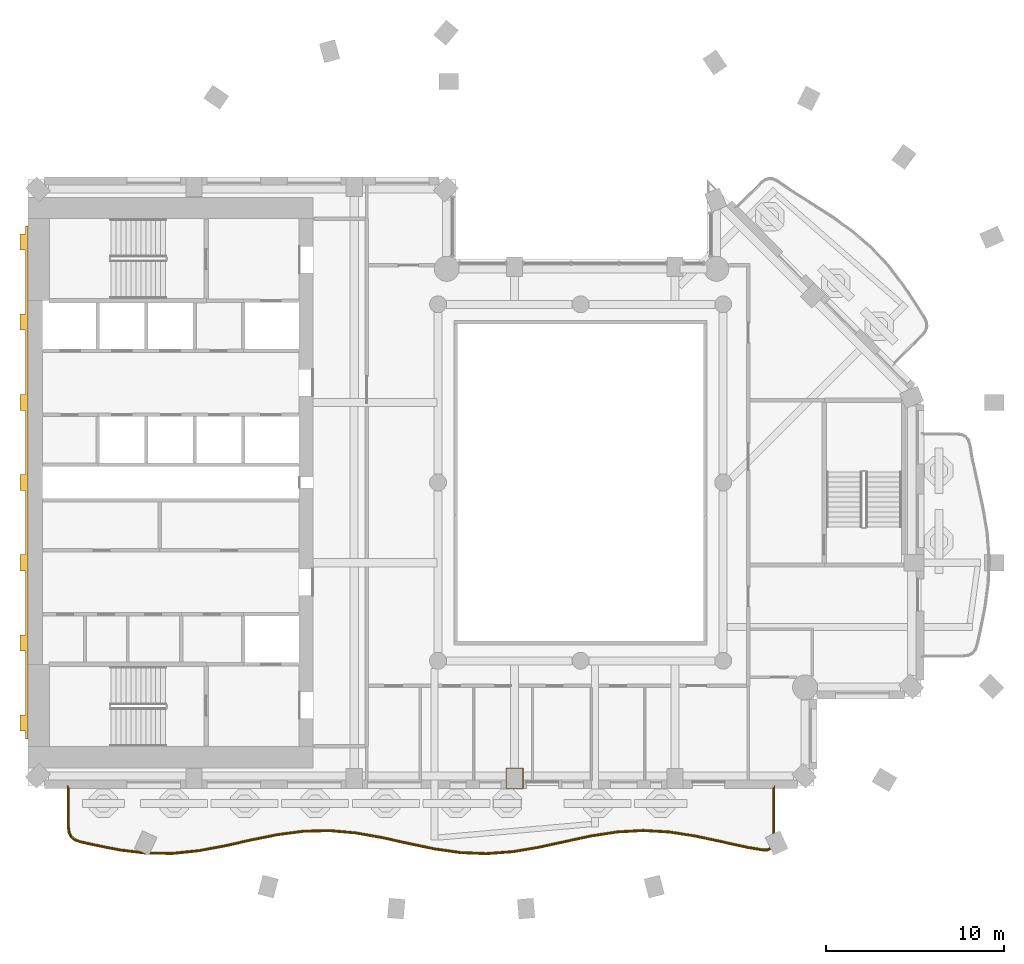
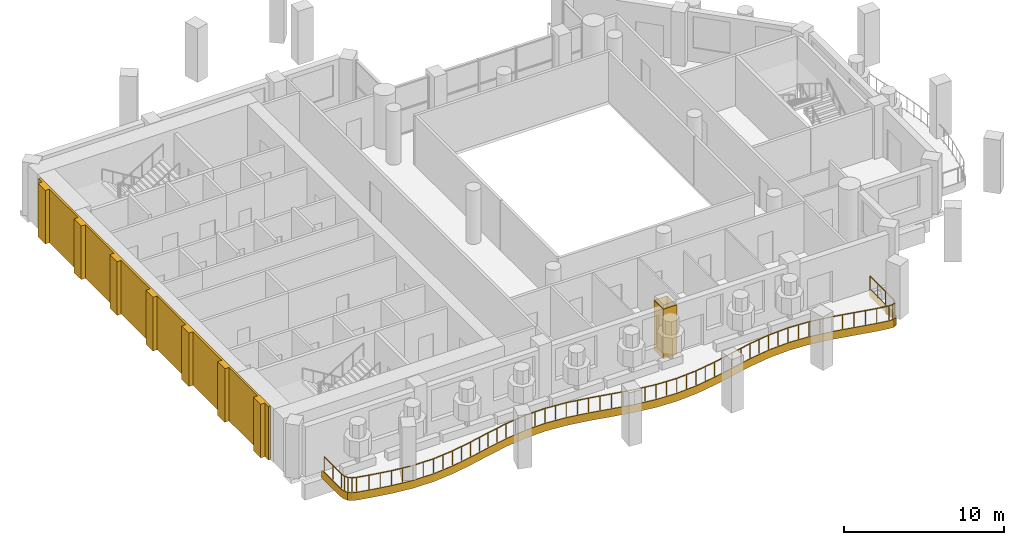
# One storey, part 11 of 15: 3 coverings, 1 railing.
"""IFC4 building model written with IfcOpenShell, lengths in metres."""

from ifc_helpers import new_model, si_unit, direction, frame, origin, origin_2d, place, context, subcontext, project, spatial, polyline, rectangle, outline, extrude, material, layer, layer_set, type_object, element, save


model = new_model("IFC4")

# Units and contexts
model_context = context("Model", 3, precision=1e-05, world=origin(), true_north=direction((0.0, 1.0)))
body_context = subcontext(model_context, "Body", "Model", "MODEL_VIEW")
ifc_project = project(units=[si_unit("LENGTHUNIT", "METRE"), si_unit("AREAUNIT", "SQUARE_METRE"), si_unit("VOLUMEUNIT", "CUBIC_METRE"), si_unit("PLANEANGLEUNIT", "RADIAN"), si_unit("MASSUNIT", "GRAM", prefix="KILO")], contexts=[model_context])

# Site, building, storey
site_placement = place(None, origin())
site = spatial("IfcSite", under=ifc_project, at=site_placement, CompositionType="ELEMENT")
building_placement = place(site_placement, origin())
building = spatial("IfcBuilding", under=site, at=building_placement, Name="Cypress Arch Tower", CompositionType="ELEMENT")
storey_placement = place(building_placement, frame((0.0, 0.0, 164.60009765625)))
storey = spatial("IfcBuildingStorey", under=building, at=storey_placement, Name="L35", CompositionType="ELEMENT", Elevation=164.60009765625)

# Covering
ifc_material_1 = material(Name="White powder-coated aluminium fascia", Category="aluminium")
ifc_layer_1 = layer(ifc_material_1, 0.050048828125)
ifc_layer_set_1 = layer_set([ifc_layer_1], Name="Balcony fascia BF50")
covering_type_1 = type_object("IfcCoveringType", Name="Balcony fascia BF50", PredefinedType="CLADDING", material=ifc_layer_set_1)
covering_1_placement = place(storey_placement, frame((0.0, 0.0, -0.60009765625)))
element("IfcCovering", 1, at=covering_1_placement, inside=storey, type_object=covering_type_1, Name="Balcony fascia L35-B01", PredefinedType="CLADDING", context=body_context, shape_type="SweptSolid", body=[
    extrude(outline(polyline([(11.89990234375, -20.064697265625), (11.856689453125, -20.364990234375), (11.71875, -20.5751953125), (11.48876953125, -20.677001953125), (11.185302734375, -20.670654296875), (10.373779296875, -20.535888671875), (8.906005859375, -20.21484375), (7.44091796875, -19.8994140625), (5.97802734375, -19.669921875), (4.5166015625, -19.5849609375), (3.05517578125, -19.666259765625), (1.592529296875, -19.892822265625), (0.127197265625, -20.207275390625), (-1.340576171875, -20.529296875), (-2.810791015625, -20.775634765625), (-4.282470703125, -20.88330078125), (-5.754638671875, -20.823974609375), (-7.225341796875, -20.61328125), (-8.69384765625, -20.3056640625), (-10.159912109375, -19.97998046875), (-11.623291015625, -19.719970703125), (-13.0849609375, -19.591796875), (-14.546142578125, -19.628173828125), (-16.008544921875, -19.8193359375), (-17.472900390625, -20.1171875), (-18.93994140625, -20.445556640625), (-20.409423828125, -20.719970703125), (-21.881103515625, -20.8701171875), (-23.353271484375, -20.8564453125), (-24.824462890625, -20.68310546875), (-26.293701171875, -20.394775390625), (-27.104248046875, -20.212890625), (-27.404296875, -20.1015625), (-27.624755859375, -19.91650390625), (-27.757080078125, -19.660888671875), (-27.800048828125, -19.34375), (-27.800048828125, -17.0009765625), (-27.75, -17.0009765625), (-27.75, -19.34033203125), (-27.708740234375, -19.6455078125), (-27.5849609375, -19.884765625), (-27.378662109375, -20.057861328125), (-27.090087890625, -20.164794921875), (-26.283447265625, -20.345947265625), (-24.816650390625, -20.6337890625), (-23.35009765625, -20.806640625), (-21.88330078125, -20.820068359375), (-20.416748046875, -20.670654296875), (-18.949951171875, -20.396484375), (-17.4833984375, -20.068359375), (-16.0166015625, -19.77001953125), (-14.550048828125, -19.578125), (-13.083251953125, -19.541748046875), (-11.61669921875, -19.67041015625), (-10.14990234375, -19.930908203125), (-8.683349609375, -20.256591796875), (-7.216552734375, -20.56396484375), (-5.75, -20.774169921875), (-4.283447265625, -20.8330078125), (-2.816650390625, -20.72607421875), (-1.35009765625, -20.47998046875), (0.11669921875, -20.158447265625), (1.583251953125, -19.84375), (3.050048828125, -19.616455078125), (4.5166015625, -19.534912109375), (5.9833984375, -19.6201171875), (7.449951171875, -19.85009765625), (8.916748046875, -20.166015625), (10.38330078125, -20.48681640625), (11.18994140625, -20.62060546875), (11.478759765625, -20.626708984375), (11.68505859375, -20.535400390625), (11.808837890625, -20.346923828125), (11.85009765625, -20.06103515625), (11.85009765625, -17.0009765625), (11.89990234375, -17.0009765625), (11.89990234375, -20.064697265625)])), origin(), (0.0, 0.0, 1.0), 0.60009765625),
])

# Railing
ifc_material_2 = material(Name="Powder-coated steel posts and rods, 100 mm clear between rods", Category="steel")
railing_type = type_object("IfcRailingType", Name="Balcony guard GR1100", PredefinedType="GUARDRAIL", material=ifc_material_2)
railing_placement = place(storey_placement, frame((11.800048828125, -17.14990234375, 0.0)))
element("IfcRailing", 2, at=railing_placement, inside=storey, type_object=railing_type, Name="Balcony guard L35-B01", PredefinedType="GUARDRAIL", context=body_context, shape_type="SweptSolid", body=[
    extrude(rectangle(XDim=0.050048828125, YDim=0.050048828125, at=origin_2d()), frame((0.0, 0.0, 1.0751953125), z_axis=(0.0, -1.0, 0.0), x_axis=(1.0, 0.0, 0.0)), (0.0, 0.0, 1.0), 2.90771484375),
    extrude(rectangle(XDim=0.050048828125, YDim=0.050048828125, at=origin_2d()), frame((0.0, -2.90771484375, 1.0751953125), z_axis=(-0.143416427958, -0.989662431434, 0.0), x_axis=(0.989662431434, -0.143416427958, 0.0)), (0.0, 0.0, 1.0), 0.274169921875),
    extrude(rectangle(XDim=0.050048828125, YDim=0.050048828125, at=origin_2d()), frame((-0.039306640625, -3.178955078125, 1.0751953125), z_axis=(-0.548469236869, -0.836170733887, 0.0), x_axis=(0.836170733887, -0.548469236869, 0.0)), (0.0, 0.0, 1.0), 0.199462890625),
    extrude(rectangle(XDim=0.050048828125, YDim=0.050048828125, at=origin_2d()), frame((-0.148681640625, -3.345703125, 1.0751953125), z_axis=(-0.914465745264, -0.404663317757, 0.0), x_axis=(0.404663317757, -0.914465745264, 0.0)), (0.0, 0.0, 1.0), 0.19970703125),
    extrude(rectangle(XDim=0.050048828125, YDim=0.050048828125, at=origin_2d()), frame((-0.331298828125, -3.426513671875, 1.0751953125), z_axis=(-0.999790333251, 0.020476560699, 0.0), x_axis=(-0.020476560699, -0.999790333251, 0.0)), (0.0, 0.0, 1.0), 0.274169921875),
    extrude(rectangle(XDim=0.050048828125, YDim=0.050048828125, at=origin_2d()), frame((-0.60546875, -3.4208984375, 1.0751953125), z_axis=(-0.986507352218, 0.163716963142, 0.0), x_axis=(-0.163716963142, -0.986507352218, 0.0)), (0.0, 0.0, 1.0), 0.812744140625),
    extrude(rectangle(XDim=0.050048828125, YDim=0.050048828125, at=origin_2d()), frame((-1.4072265625, -3.287841796875, 1.0751953125), z_axis=(-0.976905325358, 0.213672612393, 0.0), x_axis=(-0.213672612393, -0.976905325358, 0.0)), (0.0, 0.0, 1.0), 1.500244140625),
    extrude(rectangle(XDim=0.050048828125, YDim=0.050048828125, at=origin_2d()), frame((-2.872802734375, -2.96728515625, 1.0751953125), z_axis=(-0.9775853849, 0.210539343663, 0.0), x_axis=(-0.210539343663, -0.9775853849, 0.0)), (0.0, 0.0, 1.0), 1.501708984375),
    extrude(rectangle(XDim=0.050048828125, YDim=0.050048828125, at=origin_2d()), frame((-4.3408203125, -2.651123046875, 1.0751953125), z_axis=(-0.987914109621, 0.155002296794, 0.0), x_axis=(-0.155002296794, -0.987914109621, 0.0)), (0.0, 0.0, 1.0), 1.488525390625),
    extrude(rectangle(XDim=0.050048828125, YDim=0.050048828125, at=origin_2d()), frame((-5.811279296875, -2.42041015625, 1.0751953125), z_axis=(-0.998319186613, 0.057955169234, 0.0), x_axis=(-0.057955169234, -0.998319186613, 0.0)), (0.0, 0.0, 1.0), 1.474365234375),
    extrude(rectangle(XDim=0.050048828125, YDim=0.050048828125, at=origin_2d()), frame((-7.283203125, -2.3349609375, 1.0751953125), z_axis=(-0.998460353205, -0.055470019623, 0.0), x_axis=(0.055470019623, -0.998460353205, 0.0)), (0.0, 0.0, 1.0), 1.474365234375),
    extrude(rectangle(XDim=0.050048828125, YDim=0.050048828125, at=origin_2d()), frame((-8.75537109375, -2.416748046875, 1.0751953125), z_axis=(-0.988188900605, -0.153240649704, 0.0), x_axis=(0.153240649704, -0.988188900605, 0.0)), (0.0, 0.0, 1.0), 1.488037109375),
    extrude(rectangle(XDim=0.050048828125, YDim=0.050048828125, at=origin_2d()), frame((-10.225830078125, -2.644775390625, 1.0751953125), z_axis=(-0.977759567551, -0.209728939498, 0.0), x_axis=(0.209728939498, -0.977759567551, 0.0)), (0.0, 0.0, 1.0), 1.501708984375),
    extrude(rectangle(XDim=0.050048828125, YDim=0.050048828125, at=origin_2d()), frame((-11.694091796875, -2.959716796875, 1.0751953125), z_axis=(-0.976795853967, -0.214172499804, 0.0), x_axis=(0.214172499804, -0.976795853967, 0.0)), (0.0, 0.0, 1.0), 1.500244140625),
    extrude(rectangle(XDim=0.050048828125, YDim=0.050048828125, at=origin_2d()), frame((-13.159423828125, -3.281005859375, 1.0751953125), z_axis=(-0.986233366326, -0.165359448308, 0.0), x_axis=(0.165359448308, -0.986233366326, 0.0)), (0.0, 0.0, 1.0), 1.48388671875),
    extrude(rectangle(XDim=0.050048828125, YDim=0.050048828125, at=origin_2d()), frame((-14.622802734375, -3.5263671875, 1.0751953125), z_axis=(-0.997345836099, -0.072809911523, 0.0), x_axis=(0.072809911523, -0.997345836099, 0.0)), (0.0, 0.0, 1.0), 1.46533203125),
    extrude(rectangle(XDim=0.050048828125, YDim=0.050048828125, at=origin_2d()), frame((-16.084228515625, -3.633056640625, 1.0751953125), z_axis=(-0.999190255458, 0.040234728749, 0.0), x_axis=(-0.040234728749, -0.999190255458, 0.0)), (0.0, 0.0, 1.0), 1.46240234375),
    extrude(rectangle(XDim=0.050048828125, YDim=0.050048828125, at=origin_2d()), frame((-17.54541015625, -3.57421875, 1.0751953125), z_axis=(-0.989899863503, 0.14176833298, 0.0), x_axis=(-0.14176833298, -0.989899863503, 0.0)), (0.0, 0.0, 1.0), 1.4775390625),
    extrude(rectangle(XDim=0.050048828125, YDim=0.050048828125, at=origin_2d()), frame((-19.008056640625, -3.36474609375, 1.0751953125), z_axis=(-0.978751812618, 0.205048504743, 0.0), x_axis=(-0.205048504743, -0.978751812618, 0.0)), (0.0, 0.0, 1.0), 1.49658203125),
    extrude(rectangle(XDim=0.050048828125, YDim=0.050048828125, at=origin_2d()), frame((-20.472900390625, -3.057861328125, 1.0751953125), z_axis=(-0.976240538827, 0.216689663693, 0.0), x_axis=(-0.216689663693, -0.976240538827, 0.0)), (0.0, 0.0, 1.0), 1.5029296875),
    extrude(rectangle(XDim=0.050048828125, YDim=0.050048828125, at=origin_2d()), frame((-21.940185546875, -2.732177734375, 1.0751953125), z_axis=(-0.984573777815, 0.174969928959, 0.0), x_axis=(-0.174969928959, -0.984573777815, 0.0)), (0.0, 0.0, 1.0), 1.492919921875),
    extrude(rectangle(XDim=0.050048828125, YDim=0.050048828125, at=origin_2d()), frame((-23.41015625, -2.470947265625, 1.0751953125), z_axis=(-0.996171442328, 0.087421150131, 0.0), x_axis=(-0.087421150131, -0.996171442328, 0.0)), (0.0, 0.0, 1.0), 1.477294921875),
    extrude(rectangle(XDim=0.050048828125, YDim=0.050048828125, at=origin_2d()), frame((-24.8818359375, -2.341796875, 1.0751953125), z_axis=(-0.999690745235, -0.024867928986, 0.0), x_axis=(0.024867928986, -0.999690745235, 0.0)), (0.0, 0.0, 1.0), 1.47265625),
    extrude(rectangle(XDim=0.050048828125, YDim=0.050048828125, at=origin_2d()), frame((-26.35400390625, -2.37841796875, 1.0751953125), z_axis=(-0.991555384146, -0.129683924101, 0.0), x_axis=(0.129683924101, -0.991555384146, 0.0)), (0.0, 0.0, 1.0), 1.4833984375),
    extrude(rectangle(XDim=0.050048828125, YDim=0.050048828125, at=origin_2d()), frame((-27.824951171875, -2.57080078125, 1.0751953125), z_axis=(-0.979930192274, -0.199340959838, 0.0), x_axis=(0.199340959838, -0.979930192274, 0.0)), (0.0, 0.0, 1.0), 1.4990234375),
    extrude(rectangle(XDim=0.050048828125, YDim=0.050048828125, at=origin_2d()), frame((-29.2939453125, -2.86962890625, 1.0751953125), z_axis=(-0.975857100052, -0.218409982093, 0.0), x_axis=(0.218409982093, -0.975857100052, 0.0)), (0.0, 0.0, 1.0), 1.50244140625),
    extrude(rectangle(XDim=0.050048828125, YDim=0.050048828125, at=origin_2d()), frame((-30.760009765625, -3.19775390625, 1.0751953125), z_axis=(-0.982998161116, -0.183615400342, 0.0), x_axis=(0.183615400342, -0.982998161116, 0.0)), (0.0, 0.0, 1.0), 1.4892578125),
    extrude(rectangle(XDim=0.050048828125, YDim=0.050048828125, at=origin_2d()), frame((-32.223876953125, -3.47119140625, 1.0751953125), z_axis=(-0.994851249242, -0.101345902144, 0.0), x_axis=(0.101345902144, -0.994851249242, 0.0)), (0.0, 0.0, 1.0), 1.469482421875),
    extrude(rectangle(XDim=0.050048828125, YDim=0.050048828125, at=origin_2d()), frame((-33.685791015625, -3.6201171875, 1.0751953125), z_axis=(-0.999957777925, 0.009189252763, 0.0), x_axis=(-0.009189252763, -0.999957777925, 0.0)), (0.0, 0.0, 1.0), 1.461181640625),
    extrude(rectangle(XDim=0.050048828125, YDim=0.050048828125, at=origin_2d()), frame((-35.14697265625, -3.606689453125, 1.0751953125), z_axis=(-0.993121138343, 0.117091436819, 0.0), x_axis=(-0.117091436819, -0.993121138343, 0.0)), (0.0, 0.0, 1.0), 1.471923828125),
    extrude(rectangle(XDim=0.050048828125, YDim=0.050048828125, at=origin_2d()), frame((-36.60888671875, -3.434326171875, 1.0751953125), z_axis=(-0.981279202902, 0.192590565585, 0.0), x_axis=(-0.192590565585, -0.981279202902, 0.0)), (0.0, 0.0, 1.0), 1.491943359375),
    extrude(rectangle(XDim=0.050048828125, YDim=0.050048828125, at=origin_2d()), frame((-38.072998046875, -3.14697265625, 1.0751953125), z_axis=(-0.97572401742, 0.219003748436, 0.0), x_axis=(-0.219003748436, -0.97572401742, 0.0)), (0.0, 0.0, 1.0), 0.82275390625),
    extrude(rectangle(XDim=0.050048828125, YDim=0.050048828125, at=origin_2d()), frame((-38.875732421875, -2.966796875, 1.0751953125), z_axis=(-0.937778604666, 0.347233766547, 0.0), x_axis=(-0.347233766547, -0.937778604666, 0.0)), (0.0, 0.0, 1.0), 0.2958984375),
    extrude(rectangle(XDim=0.050048828125, YDim=0.050048828125, at=origin_2d()), frame((-39.1533203125, -2.864013671875, 1.0751953125), z_axis=(-0.765820016719, 0.643054975871, 0.0), x_axis=(-0.643054975871, -0.765820016719, 0.0)), (0.0, 0.0, 1.0), 0.25048828125),
    extrude(rectangle(XDim=0.050048828125, YDim=0.050048828125, at=origin_2d()), frame((-39.34521484375, -2.702880859375, 1.0751953125), z_axis=(-0.459634840326, 0.888107996563, 0.0), x_axis=(-0.888107996563, -0.459634840326, 0.0)), (0.0, 0.0, 1.0), 0.250732421875),
    extrude(rectangle(XDim=0.050048828125, YDim=0.050048828125, at=origin_2d()), frame((-39.46044921875, -2.480224609375, 1.0751953125), z_axis=(-0.133676971841, 0.991024957909, 0.0), x_axis=(-0.991024957909, -0.133676971841, 0.0)), (0.0, 0.0, 1.0), 0.2958984375),
    extrude(rectangle(XDim=0.050048828125, YDim=0.050048828125, at=origin_2d()), frame((-39.5, -2.18701171875, 1.0751953125), z_axis=(0.0, 1.0, 0.0), x_axis=(-1.0, 0.0, 0.0)), (0.0, 0.0, 1.0), 2.18701171875),
    extrude(rectangle(XDim=0.0400390625, YDim=0.0400390625, at=origin_2d()), origin(), (0.0, 0.0, 1.0), 1.050048828125),
    extrude(rectangle(XDim=0.0400390625, YDim=0.0400390625, at=origin_2d()), frame((0.0, -0.96923828125, 0.0)), (0.0, 0.0, 1.0), 1.050048828125),
    extrude(rectangle(XDim=0.0400390625, YDim=0.0400390625, at=origin_2d()), frame((0.0, -1.9384765625, 0.0)), (0.0, 0.0, 1.0), 1.050048828125),
    extrude(rectangle(XDim=0.0400390625, YDim=0.0400390625, at=origin_2d()), frame((0.0, -2.90771484375, 0.0)), (0.0, 0.0, 1.0), 1.050048828125),
    extrude(rectangle(XDim=0.0400390625, YDim=0.0400390625, at=origin_2d()), frame((-0.039306640625, -3.178955078125, 0.0)), (0.0, 0.0, 1.0), 1.050048828125),
    extrude(rectangle(XDim=0.0400390625, YDim=0.0400390625, at=origin_2d()), frame((-0.148681640625, -3.345703125, 0.0)), (0.0, 0.0, 1.0), 1.050048828125),
    extrude(rectangle(XDim=0.0400390625, YDim=0.0400390625, at=origin_2d()), frame((-0.331298828125, -3.426513671875, 0.0)), (0.0, 0.0, 1.0), 1.050048828125),
    extrude(rectangle(XDim=0.0400390625, YDim=0.0400390625, at=origin_2d()), frame((-0.60546875, -3.4208984375, 0.0)), (0.0, 0.0, 1.0), 1.050048828125),
    extrude(rectangle(XDim=0.0400390625, YDim=0.0400390625, at=origin_2d()), frame((-1.4072265625, -3.287841796875, 0.0)), (0.0, 0.0, 1.0), 1.050048828125),
    extrude(rectangle(XDim=0.0400390625, YDim=0.0400390625, at=origin_2d()), frame((-2.14013671875, -3.12744140625, 0.0)), (0.0, 0.0, 1.0), 1.050048828125),
    extrude(rectangle(XDim=0.0400390625, YDim=0.0400390625, at=origin_2d()), frame((-2.872802734375, -2.96728515625, 0.0)), (0.0, 0.0, 1.0), 1.050048828125),
    extrude(rectangle(XDim=0.0400390625, YDim=0.0400390625, at=origin_2d()), frame((-3.60693359375, -2.80908203125, 0.0)), (0.0, 0.0, 1.0), 1.050048828125),
    extrude(rectangle(XDim=0.0400390625, YDim=0.0400390625, at=origin_2d()), frame((-4.3408203125, -2.651123046875, 0.0)), (0.0, 0.0, 1.0), 1.050048828125),
    extrude(rectangle(XDim=0.0400390625, YDim=0.0400390625, at=origin_2d()), frame((-5.076171875, -2.53564453125, 0.0)), (0.0, 0.0, 1.0), 1.050048828125),
    extrude(rectangle(XDim=0.0400390625, YDim=0.0400390625, at=origin_2d()), frame((-5.811279296875, -2.42041015625, 0.0)), (0.0, 0.0, 1.0), 1.050048828125),
    extrude(rectangle(XDim=0.0400390625, YDim=0.0400390625, at=origin_2d()), frame((-6.54736328125, -2.377685546875, 0.0)), (0.0, 0.0, 1.0), 1.050048828125),
    extrude(rectangle(XDim=0.0400390625, YDim=0.0400390625, at=origin_2d()), frame((-7.283203125, -2.3349609375, 0.0)), (0.0, 0.0, 1.0), 1.050048828125),
    extrude(rectangle(XDim=0.0400390625, YDim=0.0400390625, at=origin_2d()), frame((-8.019287109375, -2.3759765625, 0.0)), (0.0, 0.0, 1.0), 1.050048828125),
    extrude(rectangle(XDim=0.0400390625, YDim=0.0400390625, at=origin_2d()), frame((-8.75537109375, -2.416748046875, 0.0)), (0.0, 0.0, 1.0), 1.050048828125),
    extrude(rectangle(XDim=0.0400390625, YDim=0.0400390625, at=origin_2d()), frame((-9.49072265625, -2.53076171875, 0.0)), (0.0, 0.0, 1.0), 1.050048828125),
    extrude(rectangle(XDim=0.0400390625, YDim=0.0400390625, at=origin_2d()), frame((-10.225830078125, -2.644775390625, 0.0)), (0.0, 0.0, 1.0), 1.050048828125),
    extrude(rectangle(XDim=0.0400390625, YDim=0.0400390625, at=origin_2d()), frame((-10.9599609375, -2.80224609375, 0.0)), (0.0, 0.0, 1.0), 1.050048828125),
    extrude(rectangle(XDim=0.0400390625, YDim=0.0400390625, at=origin_2d()), frame((-11.694091796875, -2.959716796875, 0.0)), (0.0, 0.0, 1.0), 1.050048828125),
    extrude(rectangle(XDim=0.0400390625, YDim=0.0400390625, at=origin_2d()), frame((-12.4267578125, -3.120361328125, 0.0)), (0.0, 0.0, 1.0), 1.050048828125),
    extrude(rectangle(XDim=0.0400390625, YDim=0.0400390625, at=origin_2d()), frame((-13.159423828125, -3.281005859375, 0.0)), (0.0, 0.0, 1.0), 1.050048828125),
    extrude(rectangle(XDim=0.0400390625, YDim=0.0400390625, at=origin_2d()), frame((-13.89111328125, -3.40380859375, 0.0)), (0.0, 0.0, 1.0), 1.050048828125),
    extrude(rectangle(XDim=0.0400390625, YDim=0.0400390625, at=origin_2d()), frame((-14.622802734375, -3.5263671875, 0.0)), (0.0, 0.0, 1.0), 1.050048828125),
    extrude(rectangle(XDim=0.0400390625, YDim=0.0400390625, at=origin_2d()), frame((-15.353515625, -3.57958984375, 0.0)), (0.0, 0.0, 1.0), 1.050048828125),
    extrude(rectangle(XDim=0.0400390625, YDim=0.0400390625, at=origin_2d()), frame((-16.084228515625, -3.633056640625, 0.0)), (0.0, 0.0, 1.0), 1.050048828125),
    extrude(rectangle(XDim=0.0400390625, YDim=0.0400390625, at=origin_2d()), frame((-16.81494140625, -3.603515625, 0.0)), (0.0, 0.0, 1.0), 1.050048828125),
    extrude(rectangle(XDim=0.0400390625, YDim=0.0400390625, at=origin_2d()), frame((-17.54541015625, -3.57421875, 0.0)), (0.0, 0.0, 1.0), 1.050048828125),
    extrude(rectangle(XDim=0.0400390625, YDim=0.0400390625, at=origin_2d()), frame((-18.27685546875, -3.469482421875, 0.0)), (0.0, 0.0, 1.0), 1.050048828125),
    extrude(rectangle(XDim=0.0400390625, YDim=0.0400390625, at=origin_2d()), frame((-19.008056640625, -3.36474609375, 0.0)), (0.0, 0.0, 1.0), 1.050048828125),
    extrude(rectangle(XDim=0.0400390625, YDim=0.0400390625, at=origin_2d()), frame((-19.740478515625, -3.21142578125, 0.0)), (0.0, 0.0, 1.0), 1.050048828125),
    extrude(rectangle(XDim=0.0400390625, YDim=0.0400390625, at=origin_2d()), frame((-20.472900390625, -3.057861328125, 0.0)), (0.0, 0.0, 1.0), 1.050048828125),
    extrude(rectangle(XDim=0.0400390625, YDim=0.0400390625, at=origin_2d()), frame((-21.20654296875, -2.89501953125, 0.0)), (0.0, 0.0, 1.0), 1.050048828125),
    extrude(rectangle(XDim=0.0400390625, YDim=0.0400390625, at=origin_2d()), frame((-21.940185546875, -2.732177734375, 0.0)), (0.0, 0.0, 1.0), 1.050048828125),
    extrude(rectangle(XDim=0.0400390625, YDim=0.0400390625, at=origin_2d()), frame((-22.67529296875, -2.6015625, 0.0)), (0.0, 0.0, 1.0), 1.050048828125),
    extrude(rectangle(XDim=0.0400390625, YDim=0.0400390625, at=origin_2d()), frame((-23.41015625, -2.470947265625, 0.0)), (0.0, 0.0, 1.0), 1.050048828125),
    extrude(rectangle(XDim=0.0400390625, YDim=0.0400390625, at=origin_2d()), frame((-24.14599609375, -2.40625, 0.0)), (0.0, 0.0, 1.0), 1.050048828125),
    extrude(rectangle(XDim=0.0400390625, YDim=0.0400390625, at=origin_2d()), frame((-24.8818359375, -2.341796875, 0.0)), (0.0, 0.0, 1.0), 1.050048828125),
    extrude(rectangle(XDim=0.0400390625, YDim=0.0400390625, at=origin_2d()), frame((-25.617919921875, -2.360107421875, 0.0)), (0.0, 0.0, 1.0), 1.050048828125),
    extrude(rectangle(XDim=0.0400390625, YDim=0.0400390625, at=origin_2d()), frame((-26.35400390625, -2.37841796875, 0.0)), (0.0, 0.0, 1.0), 1.050048828125),
    extrude(rectangle(XDim=0.0400390625, YDim=0.0400390625, at=origin_2d()), frame((-27.08935546875, -2.474609375, 0.0)), (0.0, 0.0, 1.0), 1.050048828125),
    extrude(rectangle(XDim=0.0400390625, YDim=0.0400390625, at=origin_2d()), frame((-27.824951171875, -2.57080078125, 0.0)), (0.0, 0.0, 1.0), 1.050048828125),
    extrude(rectangle(XDim=0.0400390625, YDim=0.0400390625, at=origin_2d()), frame((-28.5595703125, -2.72021484375, 0.0)), (0.0, 0.0, 1.0), 1.050048828125),
    extrude(rectangle(XDim=0.0400390625, YDim=0.0400390625, at=origin_2d()), frame((-29.2939453125, -2.86962890625, 0.0)), (0.0, 0.0, 1.0), 1.050048828125),
    extrude(rectangle(XDim=0.0400390625, YDim=0.0400390625, at=origin_2d()), frame((-30.02685546875, -3.03369140625, 0.0)), (0.0, 0.0, 1.0), 1.050048828125),
    extrude(rectangle(XDim=0.0400390625, YDim=0.0400390625, at=origin_2d()), frame((-30.760009765625, -3.19775390625, 0.0)), (0.0, 0.0, 1.0), 1.050048828125),
    extrude(rectangle(XDim=0.0400390625, YDim=0.0400390625, at=origin_2d()), frame((-31.491943359375, -3.33447265625, 0.0)), (0.0, 0.0, 1.0), 1.050048828125),
    extrude(rectangle(XDim=0.0400390625, YDim=0.0400390625, at=origin_2d()), frame((-32.223876953125, -3.47119140625, 0.0)), (0.0, 0.0, 1.0), 1.050048828125),
    extrude(rectangle(XDim=0.0400390625, YDim=0.0400390625, at=origin_2d()), frame((-32.954833984375, -3.545654296875, 0.0)), (0.0, 0.0, 1.0), 1.050048828125),
    extrude(rectangle(XDim=0.0400390625, YDim=0.0400390625, at=origin_2d()), frame((-33.685791015625, -3.6201171875, 0.0)), (0.0, 0.0, 1.0), 1.050048828125),
    extrude(rectangle(XDim=0.0400390625, YDim=0.0400390625, at=origin_2d()), frame((-34.41650390625, -3.61328125, 0.0)), (0.0, 0.0, 1.0), 1.050048828125),
    extrude(rectangle(XDim=0.0400390625, YDim=0.0400390625, at=origin_2d()), frame((-35.14697265625, -3.606689453125, 0.0)), (0.0, 0.0, 1.0), 1.050048828125),
    extrude(rectangle(XDim=0.0400390625, YDim=0.0400390625, at=origin_2d()), frame((-35.8779296875, -3.5205078125, 0.0)), (0.0, 0.0, 1.0), 1.050048828125),
    extrude(rectangle(XDim=0.0400390625, YDim=0.0400390625, at=origin_2d()), frame((-36.60888671875, -3.434326171875, 0.0)), (0.0, 0.0, 1.0), 1.050048828125),
    extrude(rectangle(XDim=0.0400390625, YDim=0.0400390625, at=origin_2d()), frame((-37.3408203125, -3.29052734375, 0.0)), (0.0, 0.0, 1.0), 1.050048828125),
    extrude(rectangle(XDim=0.0400390625, YDim=0.0400390625, at=origin_2d()), frame((-38.072998046875, -3.14697265625, 0.0)), (0.0, 0.0, 1.0), 1.050048828125),
    extrude(rectangle(XDim=0.0400390625, YDim=0.0400390625, at=origin_2d()), frame((-38.875732421875, -2.966796875, 0.0)), (0.0, 0.0, 1.0), 1.050048828125),
    extrude(rectangle(XDim=0.0400390625, YDim=0.0400390625, at=origin_2d()), frame((-39.1533203125, -2.864013671875, 0.0)), (0.0, 0.0, 1.0), 1.050048828125),
    extrude(rectangle(XDim=0.0400390625, YDim=0.0400390625, at=origin_2d()), frame((-39.34521484375, -2.702880859375, 0.0)), (0.0, 0.0, 1.0), 1.050048828125),
    extrude(rectangle(XDim=0.0400390625, YDim=0.0400390625, at=origin_2d()), frame((-39.46044921875, -2.480224609375, 0.0)), (0.0, 0.0, 1.0), 1.050048828125),
    extrude(rectangle(XDim=0.0400390625, YDim=0.0400390625, at=origin_2d()), frame((-39.5, -2.18701171875, 0.0)), (0.0, 0.0, 1.0), 1.050048828125),
    extrude(rectangle(XDim=0.0400390625, YDim=0.0400390625, at=origin_2d()), frame((-39.5, -1.093505859375, 0.0)), (0.0, 0.0, 1.0), 1.050048828125),
    extrude(rectangle(XDim=0.0400390625, YDim=0.0400390625, at=origin_2d()), frame((-39.5, 0.0, 0.0)), (0.0, 0.0, 1.0), 1.050048828125),
])

# Coverings
ifc_material_3 = material(Name="Painted plasterboard column casing")
ifc_layer_2 = layer(ifc_material_3, 0.0400390625)
ifc_layer_set_2 = layer_set([ifc_layer_2], Name="Column casing CK40")
covering_type_2 = type_object("IfcCoveringType", Name="Column casing CK40", PredefinedType="CLADDING", material=ifc_layer_set_2)
covering_2_placement = place(storey_placement, origin())
element("IfcCovering", 3, at=covering_2_placement, inside=storey, type_object=covering_type_2, Name="Column casing L35 CB04", PredefinedType="CLADDING", context=body_context, shape_type="SweptSolid", body=[
    extrude(outline(polyline([(-3.18994140625, -17.18994140625), (-3.18994140625, -16.010009765625), (-2.2099609375, -16.010009765625), (-2.2099609375, -17.18994140625), (-3.18994140625, -17.18994140625)]), holes=[polyline([(-3.14990234375, -17.14990234375), (-2.25, -17.14990234375), (-2.25, -16.050048828125), (-3.14990234375, -16.050048828125), (-3.14990234375, -17.14990234375)])]), origin(), (0.0, 0.0, 1.0), 3.7998046875),
])
ifc_material_4 = material(Name="Brick (red buff blend)", Category="masonry")
ifc_layer_3 = layer(ifc_material_4, 0.449951171875)
ifc_layer_set_3 = layer_set([ifc_layer_3], Name="West face brick piers WP450")
covering_type_3 = type_object("IfcCoveringType", Name="West face brick piers WP450", PredefinedType="CLADDING", material=ifc_layer_set_3)
covering_3_placement = place(storey_placement, origin())
element("IfcCovering", 4, at=covering_3_placement, inside=storey, type_object=covering_type_3, Name="West face brick piers L35", PredefinedType="CLADDING", context=body_context, shape_type="SweptSolid", body=[
    extrude(outline(polyline([(-30.14990234375, -13.050048828125), (-30.14990234375, -9.449951171875), (-30.449951171875, -9.449951171875), (-30.449951171875, -8.550048828125), (-30.14990234375, -8.550048828125), (-30.14990234375, -4.949951171875), (-30.449951171875, -4.949951171875), (-30.449951171875, -4.050048828125), (-30.14990234375, -4.050048828125), (-30.14990234375, -0.449951171875), (-30.449951171875, -0.449951171875), (-30.449951171875, 0.449951171875), (-30.14990234375, 0.449951171875), (-30.14990234375, 4.050048828125), (-30.449951171875, 4.050048828125), (-30.449951171875, 4.949951171875), (-30.14990234375, 4.949951171875), (-30.14990234375, 8.550048828125), (-30.449951171875, 8.550048828125), (-30.449951171875, 9.449951171875), (-30.14990234375, 9.449951171875), (-30.14990234375, 13.050048828125), (-30.449951171875, 13.050048828125), (-30.449951171875, 13.949951171875), (-30.14990234375, 13.949951171875), (-30.14990234375, 14.39990234375), (-30.0, 14.39990234375), (-30.0, -14.39990234375), (-30.14990234375, -14.39990234375), (-30.14990234375, -13.949951171875), (-30.449951171875, -13.949951171875), (-30.449951171875, -13.050048828125), (-30.14990234375, -13.050048828125)])), origin(), (0.0, 0.0, 1.0), 4.099853515625),
])

save(model, "model.ifc")
